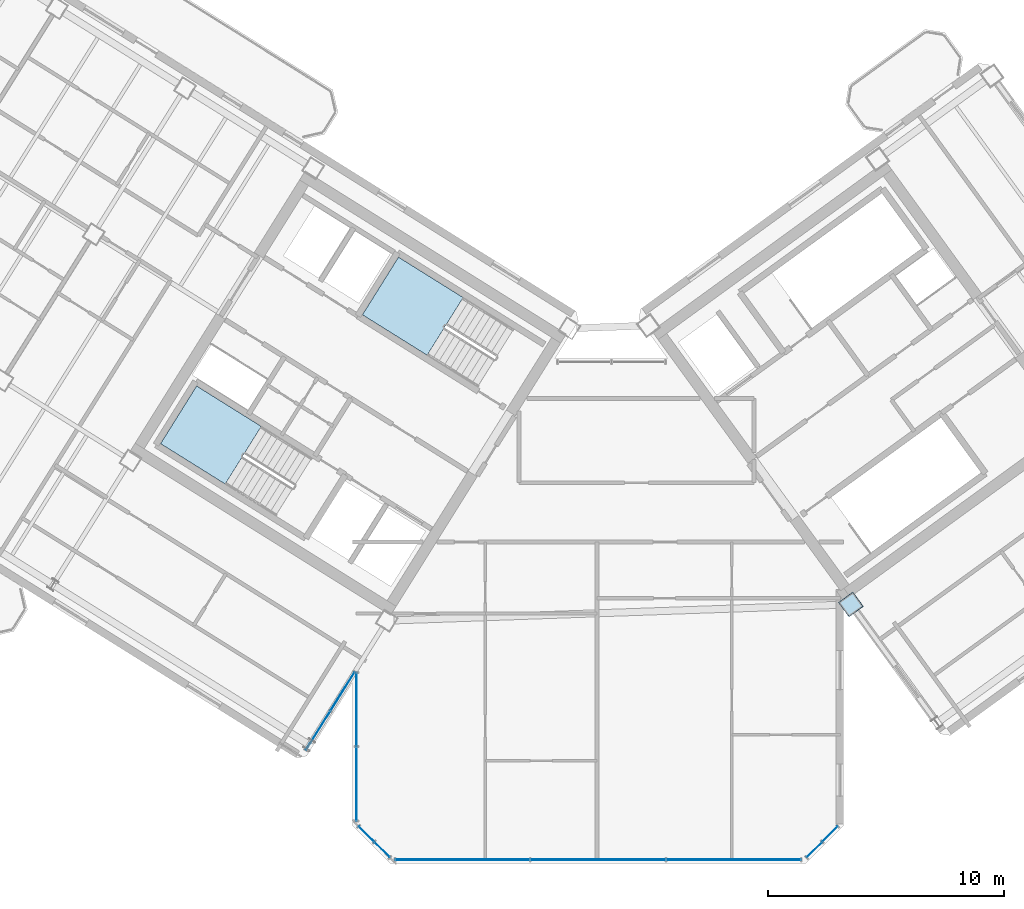
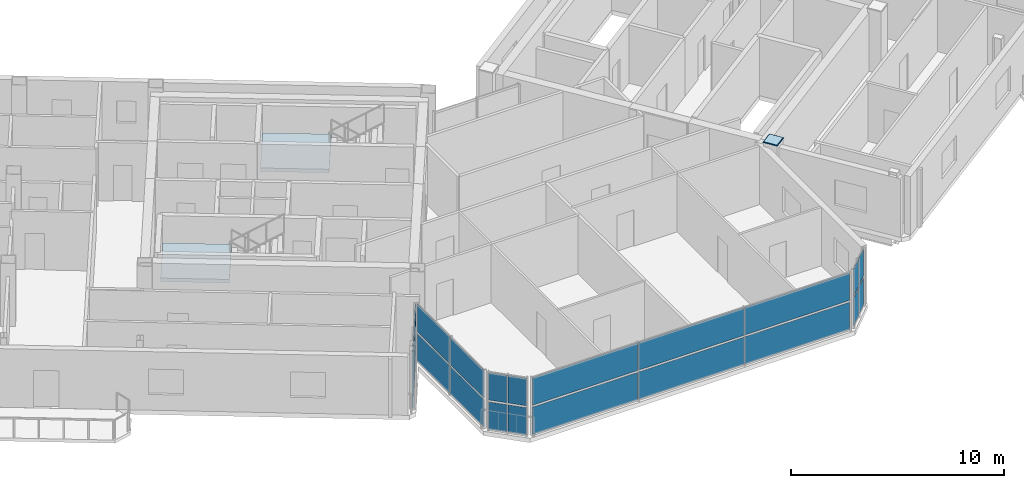
# One storey, part 14 of 25: 24 plates, 2 slabs, 7 elements without a shape of their own.
"""IFC4 building model written with IfcOpenShell, lengths in metres."""

from ifc_helpers import new_model, si_unit, direction, frame, origin, origin_2d, place, context, subcontext, project, spatial, polyline, rectangle, outline, extrude, source, transform, mapped, material, layer, layer_set, type_object, element, aggregate, save


model = new_model("IFC4")

# Units and contexts
model_context = context("Model", 3, precision=1e-05, world=origin(), true_north=direction((0.0, 1.0)))
body_context = subcontext(model_context, "Body", "Model", "MODEL_VIEW")
ifc_project = project(units=[si_unit("LENGTHUNIT", "METRE"), si_unit("AREAUNIT", "SQUARE_METRE"), si_unit("VOLUMEUNIT", "CUBIC_METRE"), si_unit("PLANEANGLEUNIT", "RADIAN"), si_unit("MASSUNIT", "GRAM", prefix="KILO")], contexts=[model_context])

# Site, building, storey
site_placement = place(None, origin())
site = spatial("IfcSite", under=ifc_project, at=site_placement, CompositionType="ELEMENT")
building_placement = place(site_placement, origin())
building = spatial("IfcBuilding", under=site, at=building_placement, Name="Tlacorven Tower", CompositionType="ELEMENT")
storey_placement = place(building_placement, frame((0.0, 0.0, 259.199951171875)))
storey = spatial("IfcBuildingStorey", under=building, at=storey_placement, Name="L65", CompositionType="ELEMENT", Elevation=259.199951171875)

# Stair, slab
ifc_material_1 = material(Name="Concrete C40/50", Category="concrete")
stair_type = type_object("IfcStairType", Name="ST-CORE-DLG", PredefinedType="HALF_TURN_STAIR", material=ifc_material_1)
stair_1_placement = place(storey_placement, origin())
stair_1 = element("IfcStair", 1, at=stair_1_placement, inside=storey, type_object=stair_type, Name="L65 Protected Exit Stair West 1", PredefinedType="HALF_TURN_STAIR")
ifc_layer_1 = layer(ifc_material_1, 0.199951171875)
ifc_layer_set_1 = layer_set([ifc_layer_1], Name="Concrete C40/50")
slab_type = type_object("IfcSlabType", Name="SL-LND-200", PredefinedType="LANDING", material=ifc_layer_set_1)
slab_1_placement = place(storey_placement, frame((0.0, 0.0, 1.60009765625)))
slab_1 = element("IfcSlab", 2, at=slab_1_placement, type_object=slab_type, Name="ST-W1 landing 1", PredefinedType="LANDING", context=body_context, shape_type="SweptSolid", body=[
    extrude(outline(polyline([(27.728515625, 20.315185546875), (24.9892578125, 22.02685546875), (23.463134765625, 19.58447265625), (26.2021484375, 17.872802734375), (27.728515625, 20.315185546875)])), origin(), (0.0, 0.0, 1.0), 0.199951171875),
])
aggregate(stair_1, [slab_1])

stair_2_placement = place(storey_placement, origin())
stair_2 = element("IfcStair", 3, at=stair_2_placement, inside=storey, type_object=stair_type, Name="L65 Protected Exit Stair West 2", PredefinedType="HALF_TURN_STAIR")
slab_2_placement = place(storey_placement, frame((0.0, 0.0, 1.60009765625)))
slab_2 = element("IfcSlab", 4, at=slab_2_placement, type_object=slab_type, Name="ST-W2 landing 1", PredefinedType="LANDING", context=body_context, shape_type="SweptSolid", body=[
    extrude(outline(polyline([(36.280029296875, 25.772705078125), (33.540771484375, 27.484375), (32.0146484375, 25.0419921875), (34.75390625, 23.33056640625), (36.280029296875, 25.772705078125)])), origin(), (0.0, 0.0, 1.0), 0.199951171875),
])
aggregate(stair_2, [slab_2])

# Plates
ifc_material_2 = material(Name="Steel S460M", Category="steel")
ifc_layer_2 = layer(ifc_material_2, 0.02001953125)
ifc_layer_set_2 = layer_set([ifc_layer_2], Name="Steel S460M")
plate_type_1 = type_object("IfcPlateType", Name="PL-CAP-END2", PredefinedType="USERDEFINED", material=ifc_layer_set_2)
shared_shape_1 = source(origin(), body_context, "Body", "SweptSolid", [
    extrude(rectangle(XDim=0.760009765625, YDim=0.760009765625, at=origin_2d()), origin(), (0.0, 0.0, 1.0), 0.02001953125),
])
plate_1_placement = place(storey_placement, frame((52.705322265625, 12.7734375, 3.580078125), z_axis=(0.0, 0.0, 1.0), x_axis=(0.809016994375, 0.587785252292, 0.0)))
element("IfcPlate", 5, at=plate_1_placement, inside=storey, type_object=plate_type_1, Name="L65 Box Column Top Cap Plate COL-L65-E1-2", ObjectType="END PLATE", PredefinedType="USERDEFINED", context=body_context, shape_type="MappedRepresentation", body=[
    mapped(shared_shape_1, transform((0.0, 0.0, 0.0), scale=1.0)),
])
ifc_layer_3 = layer(ifc_material_2, 0.02392578125)
ifc_layer_set_3 = layer_set([ifc_layer_3], Name="Steel S460M")
plate_type_2 = type_object("IfcPlateType", Name="PL-CAP-END1", PredefinedType="USERDEFINED", material=ifc_layer_set_3)
shared_shape_2 = source(origin(), body_context, "Body", "SweptSolid", [
    extrude(rectangle(XDim=0.699951171875, YDim=0.699951171875, at=origin_2d()), origin(), (0.0, 0.0, 1.0), 0.02392578125),
])
plate_2_placement = place(storey_placement, frame((52.705322265625, 12.7734375, 3.59814453125), z_axis=(0.0, 0.0, 1.0), x_axis=(0.809016994375, 0.587785252292, 0.0)))
element("IfcPlate", 6, at=plate_2_placement, inside=storey, type_object=plate_type_2, Name="L65 Hollow Column Top Cap Plate COL-L65-E1-2", ObjectType="END PLATE", PredefinedType="USERDEFINED", context=body_context, shape_type="MappedRepresentation", body=[
    mapped(shared_shape_2, transform((0.0, 0.0, 0.0), scale=1.0)),
])

# Curtain wall, plates
ifc_material_3 = material(Name="Dark solar low-E double glazing in aluminium frame", Category="aluminium")
curtain_wall_type = type_object("IfcCurtainWallType", Name="CW-TWR-HIGH", PredefinedType="USERDEFINED", material=ifc_material_3)
curtain_wall_1_placement = place(storey_placement, origin())
curtain_wall_1 = element("IfcCurtainWall", 7, at=curtain_wall_1_placement, inside=storey, type_object=curtain_wall_type, Name="L65 CW-TWR-HIGH Curtain Wall 302", ObjectType="UNITISED CURTAIN WALL", PredefinedType="USERDEFINED")
ifc_material_4 = material(Name="High-wind dark solar tempered low-E glazing", Category="glass")
ifc_layer_4 = layer(ifc_material_4, 0.028076171875)
ifc_layer_set_4 = layer_set([ifc_layer_4], Name="High-wind dark solar tempered low-E glazing")
plate_type_3 = type_object("IfcPlateType", Name="CWP-03", PredefinedType="CURTAIN_PANEL", material=ifc_layer_set_4)
shared_shape_3 = source(origin(), body_context, "Body", "SweptSolid", [
    extrude(rectangle(XDim=0.89306640625, YDim=0.028076171875, at=origin_2d()), origin(), (0.0, 0.0, 1.0), 1.572998046875),
])
plate_3_placement = place(storey_placement, frame((51.8173828125, 3.043701171875, 0.05126953125), z_axis=(0.0, 0.0, 1.0), x_axis=(-0.707106781187, -0.707106781187, 0.0)))
plate_3 = element("IfcPlate", 8, at=plate_3_placement, type_object=plate_type_3, Name="CW-L65-302 Glazing Panel 1", PredefinedType="CURTAIN_PANEL", context=body_context, shape_type="MappedRepresentation", body=[
    mapped(shared_shape_3, transform((0.0, 0.0, 0.0), scale=1.0)),
])
plate_4_placement = place(storey_placement, frame((51.8173828125, 3.043701171875, 1.72607421875), z_axis=(0.0, 0.0, 1.0), x_axis=(-0.707106781187, -0.707106781187, 0.0)))
plate_4 = element("IfcPlate", 9, at=plate_4_placement, type_object=plate_type_3, Name="CW-L65-302 Glazing Panel 2", PredefinedType="CURTAIN_PANEL", context=body_context, shape_type="MappedRepresentation", body=[
    mapped(shared_shape_3, transform((0.0, 0.0, 0.0), scale=1.0)),
])
plate_5_placement = place(storey_placement, frame((51.15625, 2.382568359375, 0.05126953125), z_axis=(0.0, 0.0, 1.0), x_axis=(-0.707106781187, -0.707106781187, 0.0)))
plate_5 = element("IfcPlate", 10, at=plate_5_placement, type_object=plate_type_3, Name="CW-L65-302 Glazing Panel 3", PredefinedType="CURTAIN_PANEL", context=body_context, shape_type="MappedRepresentation", body=[
    mapped(shared_shape_3, transform((0.0, 0.0, 0.0), scale=1.0)),
])
plate_6_placement = place(storey_placement, frame((51.15625, 2.382568359375, 1.72607421875), z_axis=(0.0, 0.0, 1.0), x_axis=(-0.707106781187, -0.707106781187, 0.0)))
plate_6 = element("IfcPlate", 11, at=plate_6_placement, type_object=plate_type_3, Name="CW-L65-302 Glazing Panel 4", PredefinedType="CURTAIN_PANEL", context=body_context, shape_type="MappedRepresentation", body=[
    mapped(shared_shape_3, transform((0.0, 0.0, 0.0), scale=1.0)),
])
aggregate(curtain_wall_1, [plate_3, plate_4, plate_5, plate_6])

curtain_wall_2_placement = place(storey_placement, origin())
curtain_wall_2 = element("IfcCurtainWall", 12, at=curtain_wall_2_placement, inside=storey, type_object=curtain_wall_type, Name="L65 CW-TWR-HIGH Curtain Wall 304", ObjectType="UNITISED CURTAIN WALL", PredefinedType="USERDEFINED")
plate_7_placement = place(storey_placement, frame((32.84375, 2.382568359375, 0.05126953125), z_axis=(0.0, 0.0, 1.0), x_axis=(-0.707106781187, 0.707106781187, 0.0)))
plate_7 = element("IfcPlate", 13, at=plate_7_placement, type_object=plate_type_3, Name="CW-L65-304 Glazing Panel 1", PredefinedType="CURTAIN_PANEL", context=body_context, shape_type="MappedRepresentation", body=[
    mapped(shared_shape_3, transform((0.0, 0.0, 0.0), scale=1.0)),
])
plate_8_placement = place(storey_placement, frame((32.84375, 2.382568359375, 1.72607421875), z_axis=(0.0, 0.0, 1.0), x_axis=(-0.707106781187, 0.707106781187, 0.0)))
plate_8 = element("IfcPlate", 14, at=plate_8_placement, type_object=plate_type_3, Name="CW-L65-304 Glazing Panel 2", PredefinedType="CURTAIN_PANEL", context=body_context, shape_type="MappedRepresentation", body=[
    mapped(shared_shape_3, transform((0.0, 0.0, 0.0), scale=1.0)),
])
plate_9_placement = place(storey_placement, frame((32.1826171875, 3.043701171875, 0.05126953125), z_axis=(0.0, 0.0, 1.0), x_axis=(-0.707106781187, 0.707106781187, 0.0)))
plate_9 = element("IfcPlate", 15, at=plate_9_placement, type_object=plate_type_3, Name="CW-L65-304 Glazing Panel 3", PredefinedType="CURTAIN_PANEL", context=body_context, shape_type="MappedRepresentation", body=[
    mapped(shared_shape_3, transform((0.0, 0.0, 0.0), scale=1.0)),
])
plate_10_placement = place(storey_placement, frame((32.1826171875, 3.043701171875, 1.72607421875), z_axis=(0.0, 0.0, 1.0), x_axis=(-0.707106781187, 0.707106781187, 0.0)))
plate_10 = element("IfcPlate", 16, at=plate_10_placement, type_object=plate_type_3, Name="CW-L65-304 Glazing Panel 4", PredefinedType="CURTAIN_PANEL", context=body_context, shape_type="MappedRepresentation", body=[
    mapped(shared_shape_3, transform((0.0, 0.0, 0.0), scale=1.0)),
])
aggregate(curtain_wall_2, [plate_7, plate_8, plate_9, plate_10])

curtain_wall_3_placement = place(storey_placement, origin())
curtain_wall_3 = element("IfcCurtainWall", 17, at=curtain_wall_3_placement, inside=storey, type_object=curtain_wall_type, Name="L65 CW-TWR-HIGH Curtain Wall 303", ObjectType="UNITISED CURTAIN WALL", PredefinedType="USERDEFINED")
shared_shape_4 = source(origin(), body_context, "Body", "SweptSolid", [
    extrude(rectangle(XDim=5.683837890625, YDim=0.028076171875, at=origin_2d()), origin(), (0.0, 0.0, 1.0), 1.572998046875),
])
plate_11_placement = place(storey_placement, frame((47.74072265625, 1.9599609375, 0.05126953125), z_axis=(0.0, 0.0, 1.0), x_axis=(-1.0, 0.0, 0.0)))
plate_11 = element("IfcPlate", 18, at=plate_11_placement, type_object=plate_type_3, Name="CW-L65-303 Glazing Panel 1", PredefinedType="CURTAIN_PANEL", context=body_context, shape_type="MappedRepresentation", body=[
    mapped(shared_shape_4, transform((0.0, 0.0, 0.0), scale=1.0)),
])
plate_12_placement = place(storey_placement, frame((47.74072265625, 1.9599609375, 1.72607421875), z_axis=(0.0, 0.0, 1.0), x_axis=(-1.0, 0.0, 0.0)))
plate_12 = element("IfcPlate", 19, at=plate_12_placement, type_object=plate_type_3, Name="CW-L65-303 Glazing Panel 2", PredefinedType="CURTAIN_PANEL", context=body_context, shape_type="MappedRepresentation", body=[
    mapped(shared_shape_4, transform((0.0, 0.0, 0.0), scale=1.0)),
])
plate_13_placement = place(storey_placement, frame((36.25927734375, 1.9599609375, 0.05126953125), z_axis=(0.0, 0.0, 1.0), x_axis=(-1.0, 0.0, 0.0)))
plate_13 = element("IfcPlate", 20, at=plate_13_placement, type_object=plate_type_3, Name="CW-L65-303 Glazing Panel 5", PredefinedType="CURTAIN_PANEL", context=body_context, shape_type="MappedRepresentation", body=[
    mapped(shared_shape_4, transform((0.0, 0.0, 0.0), scale=1.0)),
])
plate_14_placement = place(storey_placement, frame((36.25927734375, 1.9599609375, 1.72607421875), z_axis=(0.0, 0.0, 1.0), x_axis=(-1.0, 0.0, 0.0)))
plate_14 = element("IfcPlate", 21, at=plate_14_placement, type_object=plate_type_3, Name="CW-L65-303 Glazing Panel 6", PredefinedType="CURTAIN_PANEL", context=body_context, shape_type="MappedRepresentation", body=[
    mapped(shared_shape_4, transform((0.0, 0.0, 0.0), scale=1.0)),
])
shared_shape_5 = source(origin(), body_context, "Body", "SweptSolid", [
    extrude(rectangle(XDim=5.7138671875, YDim=0.028076171875, at=origin_2d()), origin(), (0.0, 0.0, 1.0), 1.572998046875),
])
plate_15_placement = place(storey_placement, frame((42.0, 1.9599609375, 0.05126953125), z_axis=(0.0, 0.0, 1.0), x_axis=(-1.0, 0.0, 0.0)))
plate_15 = element("IfcPlate", 22, at=plate_15_placement, type_object=plate_type_3, Name="CW-L65-303 Glazing Panel 3", PredefinedType="CURTAIN_PANEL", context=body_context, shape_type="MappedRepresentation", body=[
    mapped(shared_shape_5, transform((0.0, 0.0, 0.0), scale=1.0)),
])
plate_16_placement = place(storey_placement, frame((42.0, 1.9599609375, 1.72607421875), z_axis=(0.0, 0.0, 1.0), x_axis=(-1.0, 0.0, 0.0)))
plate_16 = element("IfcPlate", 23, at=plate_16_placement, type_object=plate_type_3, Name="CW-L65-303 Glazing Panel 4", PredefinedType="CURTAIN_PANEL", context=body_context, shape_type="MappedRepresentation", body=[
    mapped(shared_shape_5, transform((0.0, 0.0, 0.0), scale=1.0)),
])
aggregate(curtain_wall_3, [plate_11, plate_12, plate_15, plate_16, plate_13, plate_14])

curtain_wall_4_placement = place(storey_placement, origin())
curtain_wall_4 = element("IfcCurtainWall", 24, at=curtain_wall_4_placement, inside=storey, type_object=curtain_wall_type, Name="L65 CW-TWR-HIGH Curtain Wall 305", ObjectType="UNITISED CURTAIN WALL", PredefinedType="USERDEFINED")
shared_shape_6 = source(origin(), body_context, "Body", "SweptSolid", [
    extrude(rectangle(XDim=3.109130859375, YDim=0.028076171875, at=origin_2d()), origin(), (0.0, 0.0, 1.0), 1.572998046875),
])
plate_17_placement = place(storey_placement, frame((31.760009765625, 5.171875, 0.05126953125), z_axis=(0.0, 0.0, 1.0), x_axis=(0.0, 1.0, 0.0)))
plate_17 = element("IfcPlate", 25, at=plate_17_placement, type_object=plate_type_3, Name="CW-L65-305 Glazing Panel 1", PredefinedType="CURTAIN_PANEL", context=body_context, shape_type="MappedRepresentation", body=[
    mapped(shared_shape_6, transform((0.0, 0.0, 0.0), scale=1.0)),
])
plate_18_placement = place(storey_placement, frame((31.760009765625, 5.171875, 1.72607421875), z_axis=(0.0, 0.0, 1.0), x_axis=(0.0, 1.0, 0.0)))
plate_18 = element("IfcPlate", 26, at=plate_18_placement, type_object=plate_type_3, Name="CW-L65-305 Glazing Panel 2", PredefinedType="CURTAIN_PANEL", context=body_context, shape_type="MappedRepresentation", body=[
    mapped(shared_shape_6, transform((0.0, 0.0, 0.0), scale=1.0)),
])
plate_19_placement = place(storey_placement, frame((31.760009765625, 8.322998046875, 0.05126953125), z_axis=(0.0, 0.0, 1.0), x_axis=(0.0, 1.0, 0.0)))
plate_19 = element("IfcPlate", 27, at=plate_19_placement, type_object=plate_type_3, Name="CW-L65-305 Glazing Panel 3", PredefinedType="CURTAIN_PANEL", context=body_context, shape_type="MappedRepresentation", body=[
    mapped(shared_shape_6, transform((0.0, 0.0, 0.0), scale=1.0)),
])
plate_20_placement = place(storey_placement, frame((31.760009765625, 8.322998046875, 1.72607421875), z_axis=(0.0, 0.0, 1.0), x_axis=(0.0, 1.0, 0.0)))
plate_20 = element("IfcPlate", 28, at=plate_20_placement, type_object=plate_type_3, Name="CW-L65-305 Glazing Panel 4", PredefinedType="CURTAIN_PANEL", context=body_context, shape_type="MappedRepresentation", body=[
    mapped(shared_shape_6, transform((0.0, 0.0, 0.0), scale=1.0)),
])
aggregate(curtain_wall_4, [plate_17, plate_18, plate_19, plate_20])

curtain_wall_5_placement = place(storey_placement, origin())
curtain_wall_5 = element("IfcCurtainWall", 29, at=curtain_wall_5_placement, inside=storey, type_object=curtain_wall_type, Name="L65 CW-TWR-HIGH Curtain Wall 306", ObjectType="UNITISED CURTAIN WALL", PredefinedType="USERDEFINED")
shared_shape_7 = source(origin(), body_context, "Body", "SweptSolid", [
    extrude(rectangle(XDim=1.911376953125, YDim=0.028076171875, at=origin_2d()), origin(), (0.0, 0.0, 1.0), 1.572998046875),
])
plate_21_placement = place(storey_placement, frame((31.173583984375, 9.090087890625, 0.05126953125), z_axis=(0.0, 0.0, 1.0), x_axis=(-0.529918710919, -0.848048441905, 0.0)))
plate_21 = element("IfcPlate", 30, at=plate_21_placement, type_object=plate_type_3, Name="CW-L65-306 Glazing Panel 1", PredefinedType="CURTAIN_PANEL", context=body_context, shape_type="MappedRepresentation", body=[
    mapped(shared_shape_7, transform((0.0, 0.0, 0.0), scale=1.0)),
])
plate_22_placement = place(storey_placement, frame((31.173583984375, 9.090087890625, 1.72607421875), z_axis=(0.0, 0.0, 1.0), x_axis=(-0.529918710919, -0.848048441905, 0.0)))
plate_22 = element("IfcPlate", 31, at=plate_22_placement, type_object=plate_type_3, Name="CW-L65-306 Glazing Panel 2", PredefinedType="CURTAIN_PANEL", context=body_context, shape_type="MappedRepresentation", body=[
    mapped(shared_shape_7, transform((0.0, 0.0, 0.0), scale=1.0)),
])
plate_23_placement = place(storey_placement, frame((30.138427734375, 7.43359375, 0.05126953125), z_axis=(0.0, 0.0, 1.0), x_axis=(-0.529918710919, -0.848048441905, 0.0)))
plate_23 = element("IfcPlate", 32, at=plate_23_placement, type_object=plate_type_3, Name="CW-L65-306 Glazing Panel 3", PredefinedType="CURTAIN_PANEL", context=body_context, shape_type="MappedRepresentation", body=[
    mapped(shared_shape_7, transform((0.0, 0.0, 0.0), scale=1.0)),
])
plate_24_placement = place(storey_placement, frame((30.138427734375, 7.43359375, 1.72607421875), z_axis=(0.0, 0.0, 1.0), x_axis=(-0.529918710919, -0.848048441905, 0.0)))
plate_24 = element("IfcPlate", 33, at=plate_24_placement, type_object=plate_type_3, Name="CW-L65-306 Glazing Panel 4", PredefinedType="CURTAIN_PANEL", context=body_context, shape_type="MappedRepresentation", body=[
    mapped(shared_shape_7, transform((0.0, 0.0, 0.0), scale=1.0)),
])
aggregate(curtain_wall_5, [plate_21, plate_22, plate_23, plate_24])

save(model, "model.ifc")
